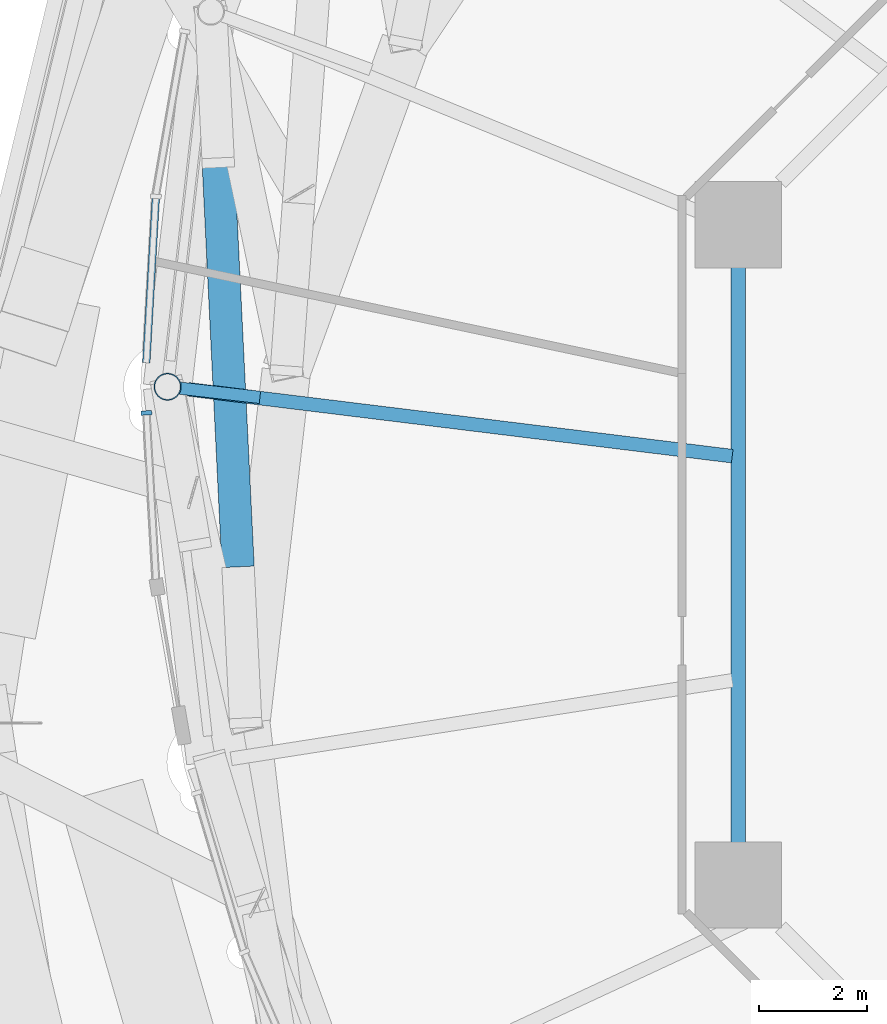
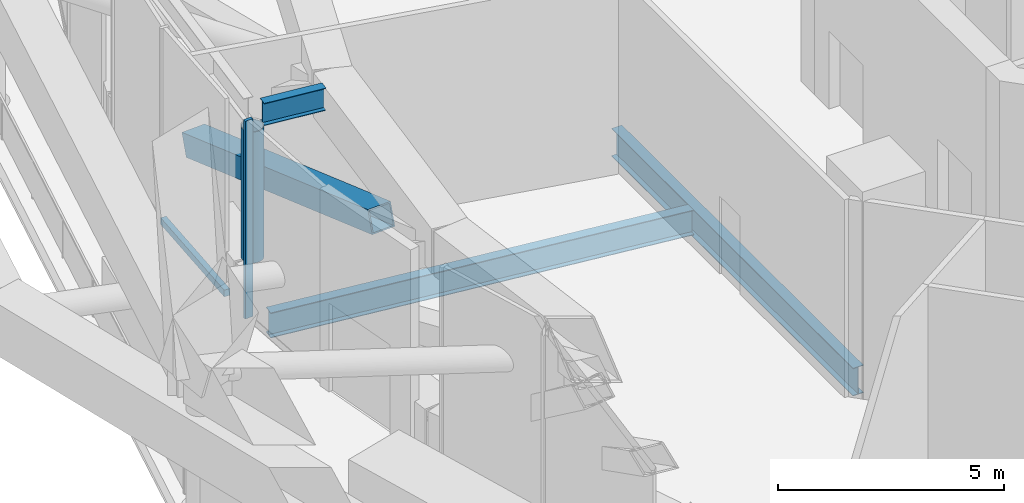
# One storey, part 15 of 48: 4 beams, 3 members, 2 elements without a shape of their own.
"""IFC4 building model written with IfcOpenShell, lengths in metres."""

from ifc_helpers import new_model, si_unit, direction, frame, origin, origin_2d, place, context, subcontext, project, spatial, rectangle, hollow_rectangle, hollow_circle, i_section, extrude, material, layer, layer_set, material_profile, profile_set, type_object, element, aggregate, save


model = new_model("IFC4")

# Units and contexts
model_context = context("Model", 3, precision=1e-05, world=origin(), true_north=direction((0.0, 1.0)))
body_context = subcontext(model_context, "Body", "Model", "MODEL_VIEW")
ifc_project = project(units=[si_unit("LENGTHUNIT", "METRE"), si_unit("AREAUNIT", "SQUARE_METRE"), si_unit("VOLUMEUNIT", "CUBIC_METRE"), si_unit("PLANEANGLEUNIT", "RADIAN"), si_unit("MASSUNIT", "GRAM", prefix="KILO")], contexts=[model_context])

# Site, building, storey
site_placement = place(None, origin())
site = spatial("IfcSite", under=ifc_project, at=site_placement, CompositionType="ELEMENT")
building_placement = place(site_placement, origin())
building = spatial("IfcBuilding", under=site, at=building_placement, Name="Nagisa Residences", CompositionType="ELEMENT")
storey_placement = place(building_placement, frame((0.0, 0.0, 252.89990234375)))
storey = spatial("IfcBuildingStorey", under=building, at=storey_placement, Name="L64", CompositionType="ELEMENT", Elevation=252.89990234375)

# Beam
ifc_material_1 = material(Name="Steel ASTM A572 Gr 50", Category="steel")
ifc_material_profile_1 = material_profile(ifc_material_1, hollow_rectangle(XDim=0.60009765625, YDim=0.60009765625, WallThickness=0.034912109375, at=origin_2d()), Name="BX 600x600x35")
ifc_profile_set_1 = profile_set([ifc_material_profile_1], Name="Steel ASTM A572 Gr 50")
beam_type_1 = type_object("IfcBeamType", Name="Belt diagonal 5 BX 600x600x35", PredefinedType="BEAM", material=ifc_profile_set_1)
beam_1_placement = place(storey_placement, frame((-24.429443359375, 7.272705078125, 1.47998046875), z_axis=(0.046717581047, -0.953093867834, 0.299047733176), x_axis=(0.998800838661, 0.048957989034, 0.0)))
element("IfcBeam", 1, at=beam_1_placement, inside=storey, type_object=beam_type_1, Name="beam:L64:bt5db12", PredefinedType="BEAM", context=body_context, shape_type="SweptSolid", body=[
    extrude(hollow_rectangle(XDim=0.60009765625, YDim=0.60009765625, WallThickness=0.034912109375, at=origin_2d()), origin(), (0.0, 0.0, 1.0), 7.958984375),
])

# Curtain wall, member
ifc_material_2 = material(Name="Aluminium curtain wall system", Category="aluminium")
ifc_layer = layer(ifc_material_2, 0.159912109375)
ifc_layer_set = layer_set([ifc_layer], Name="CW2 CURTAIN WALL")
curtain_wall_type = type_object("IfcCurtainWallType", Name="CW2 CURTAIN WALL", PredefinedType="NOTDEFINED", material=ifc_layer_set)
curtain_wall_1_placement = place(storey_placement, origin())
curtain_wall_1 = element("IfcCurtainWall", 2, at=curtain_wall_1_placement, inside=storey, type_object=curtain_wall_type, Name="cw:CW2:L64:24", PredefinedType="NOTDEFINED")
ifc_material_3 = material(Name="Aluminium", Category="aluminium")
ifc_material_profile_2 = material_profile(ifc_material_3, rectangle(XDim=0.199951171875, YDim=0.080078125, at=origin_2d()), Name="CW2 MULLION 200x80")
ifc_profile_set_2 = profile_set([ifc_material_profile_2], Name="Aluminium")
member_type_1 = type_object("IfcMemberType", Name="CW2 MULLION 200x80", PredefinedType="MULLION", material=ifc_profile_set_2)
member_1_placement = place(storey_placement, frame((-25.761962890625, 2.633056640625, 0.0), z_axis=(0.0, 0.0, 1.0), x_axis=(0.998345305184, 0.057503492216, 0.0)))
member_1 = element("IfcMember", 3, at=member_1_placement, type_object=member_type_1, Name="CW2 mullion", PredefinedType="MULLION", context=body_context, shape_type="SweptSolid", body=[
    extrude(rectangle(XDim=0.199951171875, YDim=0.080078125, at=origin_2d()), origin(), (0.0, 0.0, 1.0), 5.340087890625),
])
aggregate(curtain_wall_1, [member_1])

curtain_wall_2_placement = place(storey_placement, origin())
curtain_wall_2 = element("IfcCurtainWall", 4, at=curtain_wall_2_placement, inside=storey, type_object=curtain_wall_type, Name="cw:CW2:L64:23", PredefinedType="NOTDEFINED")
ifc_material_4 = material(Name="Aluminium", Category="aluminium")
ifc_material_profile_3 = material_profile(ifc_material_4, rectangle(XDim=0.139892578125, YDim=0.179931640625, at=origin_2d()), Name="CW2 TRANSOM 140x180")
ifc_profile_set_3 = profile_set([ifc_material_profile_3], Name="Aluminium")
member_type_2 = type_object("IfcMemberType", Name="CW2 TRANSOM 140x180", PredefinedType="USERDEFINED", material=ifc_profile_set_3)
member_2_placement = place(storey_placement, frame((-25.584228515625, 6.688232421875, 0.090087890625), z_axis=(-0.057465020502, -0.998347520365, 0.0), x_axis=(0.998347520365, -0.057465020502, 0.0)))
member_2 = element("IfcMember", 5, at=member_2_placement, type_object=member_type_2, Name="CW2 transom", ObjectType="TRANSOM", PredefinedType="USERDEFINED", context=body_context, shape_type="SweptSolid", body=[
    extrude(rectangle(XDim=0.139892578125, YDim=0.179931640625, at=origin_2d()), origin(), (0.0, 0.0, 1.0), 3.131103515625),
])
aggregate(curtain_wall_2, [member_2])

# Member
ifc_material_5 = material(Name="Steel ASTM A572 Gr 65", Category="steel")
ifc_material_profile_4 = material_profile(ifc_material_5, hollow_circle(Radius=0.25390625, WallThickness=0.02001953125, at=origin_2d()), Name="CHS 508x20")
ifc_profile_set_4 = profile_set([ifc_material_profile_4], Name="Steel ASTM A572 Gr 65")
member_type_3 = type_object("IfcMemberType", Name="Garden edge post CHS 508x20", PredefinedType="POST", material=ifc_profile_set_4)
member_3_placement = place(storey_placement, frame((-25.3701171875, 3.11767578125, 1.2001953125), z_axis=(0.0, 0.0, 1.0), x_axis=(1.0, 0.0, 0.0)))
element("IfcMember", 6, at=member_3_placement, inside=storey, type_object=member_type_3, Name="mem:L64:gp513", PredefinedType="POST", context=body_context, shape_type="SweptSolid", body=[
    extrude(hollow_circle(Radius=0.25390625, WallThickness=0.02001953125, at=origin_2d()), origin(), (0.0, 0.0, 1.0), 3.536865234375),
])

# Beams
ifc_material_6 = material(Name="Steel ASTM A572 Gr 50", Category="steel")
ifc_material_profile_5 = material_profile(ifc_material_6, i_section(OverallWidth=0.22802734375, OverallDepth=0.60302734375, WebThickness=0.010498046875, FlangeThickness=0.014892578125, at=origin_2d()), Name="W610x101")
ifc_profile_set_5 = profile_set([ifc_material_profile_5], Name="Steel ASTM A572 Gr 50")
beam_type_2 = type_object("IfcBeamType", Name="Garden radial beam W610x101", PredefinedType="BEAM", material=ifc_profile_set_5)
beam_2_placement = place(storey_placement, frame((-25.137451171875, 3.0908203125, 5.03857421875), z_axis=(0.993409652961, -0.11461789304, 0.0), x_axis=(0.11461789304, 0.993409652961, 0.0)))
element("IfcBeam", 7, at=beam_2_placement, inside=storey, type_object=beam_type_2, Name="beam:L64:bt5gr13", PredefinedType="BEAM", context=body_context, shape_type="SweptSolid", body=[
    extrude(i_section(OverallWidth=0.22802734375, OverallDepth=0.60302734375, WebThickness=0.010498046875, FlangeThickness=0.014892578125, at=origin_2d()), origin(), (0.0, 0.0, 1.0), 1.490966796875),
])
ifc_material_7 = material(Name="Steel ASTM A572 Gr 50", Category="steel")
ifc_material_profile_6 = material_profile(ifc_material_7, i_section(OverallWidth=0.264892578125, OverallDepth=0.7529296875, WebThickness=0.01318359375, FlangeThickness=0.01708984375, at=origin_2d()), Name="W760x147")
ifc_profile_set_6 = profile_set([ifc_material_profile_6], Name="Steel ASTM A572 Gr 50")
beam_type_3 = type_object("IfcBeamType", Name="Inner ring beam W760x147", PredefinedType="BEAM", material=ifc_profile_set_6)
beam_3_placement = place(storey_placement, frame((-14.781982421875, 5.343017578125, -0.726318359375), z_axis=(0.0, -1.0, 0.0), x_axis=(1.0, 0.0, 0.0)))
element("IfcBeam", 8, at=beam_3_placement, inside=storey, type_object=beam_type_3, Name="beam:L64:ib4", PredefinedType="BEAM", context=body_context, shape_type="SweptSolid", body=[
    extrude(i_section(OverallWidth=0.264892578125, OverallDepth=0.7529296875, WebThickness=0.01318359375, FlangeThickness=0.01708984375, at=origin_2d()), origin(), (0.0, 0.0, 1.0), 10.68603515625),
])
ifc_material_8 = material(Name="Steel ASTM A572 Gr 50", Category="steel")
ifc_material_profile_7 = material_profile(ifc_material_8, i_section(OverallWidth=0.2529296875, OverallDepth=0.677978515625, WebThickness=0.01171875, FlangeThickness=0.016357421875, at=origin_2d()), Name="W690x125")
ifc_profile_set_7 = profile_set([ifc_material_profile_7], Name="Steel ASTM A572 Gr 50")
beam_type_4 = type_object("IfcBeamType", Name="Radial beam W690x125", PredefinedType="BEAM", material=ifc_profile_set_7)
beam_4_placement = place(storey_placement, frame((-24.98974609375, 3.071044921875, -0.68896484375), z_axis=(0.992531681673, -0.12198713406, 0.0), x_axis=(0.12198713406, 0.992531681673, 0.0)))
element("IfcBeam", 9, at=beam_4_placement, inside=storey, type_object=beam_type_4, Name="beam:L64:rb13", PredefinedType="BEAM", context=body_context, shape_type="SweptSolid", body=[
    extrude(i_section(OverallWidth=0.2529296875, OverallDepth=0.677978515625, WebThickness=0.01171875, FlangeThickness=0.016357421875, at=origin_2d()), origin(), (0.0, 0.0, 1.0), 10.1708984375),
])

save(model, "model.ifc")
